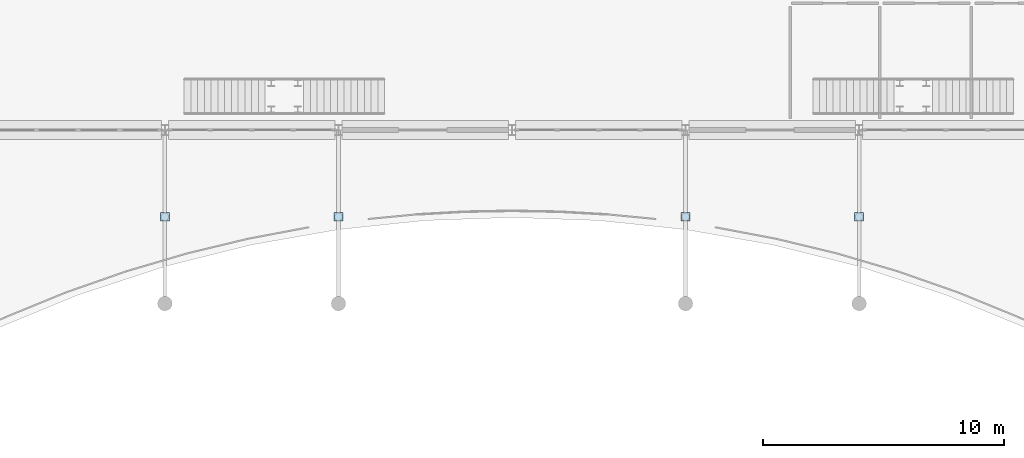
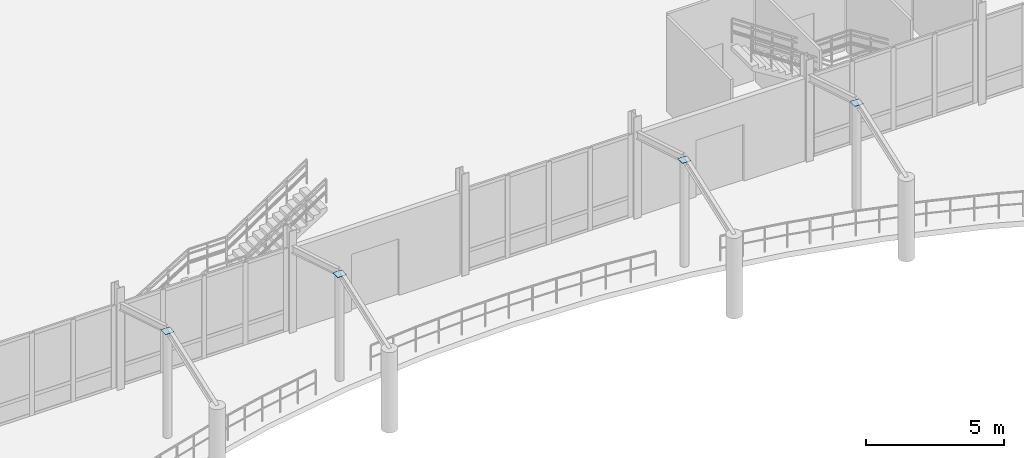
# One storey, part 109 of 139: 4 plates.
"""IFC4 building model written with IfcOpenShell, lengths in metres."""

from ifc_helpers import new_model, si_unit, direction, frame, origin, origin_2d, place, context, subcontext, project, spatial, rectangle, extrude, material, layer, layer_set, type_object, element, save


model = new_model("IFC4")

# Units and contexts
model_context = context("Model", 3, precision=1e-05, world=origin(), true_north=direction((0.0, 1.0)))
body_context = subcontext(model_context, "Body", "Model", "MODEL_VIEW")
ifc_project = project(units=[si_unit("LENGTHUNIT", "METRE"), si_unit("AREAUNIT", "SQUARE_METRE"), si_unit("VOLUMEUNIT", "CUBIC_METRE"), si_unit("PLANEANGLEUNIT", "RADIAN"), si_unit("MASSUNIT", "GRAM", prefix="KILO")], contexts=[model_context])

# Site, building, storey
site_placement = place(None, origin())
site = spatial("IfcSite", under=ifc_project, at=site_placement, CompositionType="ELEMENT")
building_placement = place(site_placement, origin())
building = spatial("IfcBuilding", under=site, at=building_placement, Name="Suanplinth Sawtooth Commons", CompositionType="ELEMENT")
storey_placement = place(building_placement, origin())
storey = spatial("IfcBuildingStorey", under=building, at=storey_placement, Name="L00", CompositionType="ELEMENT", Elevation=0.0)

# Plates
ifc_material = material(Name="Steel S355JR", Category="steel")
ifc_layer = layer(ifc_material, 0.013916015625, Name="Hollow column top seal plate 14mm")
ifc_layer_set = layer_set([ifc_layer], Name="Steel S355JR")
plate_type = type_object("IfcPlateType", Name="PL-10", PredefinedType="USERDEFINED", material=ifc_layer_set)
for number, where, z_axis, x_axis, name in (
    (1, (72.0, 46.800048828125, 4.630859375), (0.0, 0.0, 1.0), (1.0, 0.0, 0.0), "Metro Ridge Column Cap Plate 11"),
    (2, (79.199951171875, 46.800048828125, 4.630859375), (0.0, 0.0, 1.0), (1.0, 0.0, 0.0), "Metro Ridge Column Cap Plate 12"),
    (3, (93.60009765625, 46.800048828125, 4.630859375), (0.0, 0.0, 1.0), (1.0, 0.0, 0.0), "Metro Ridge Column Cap Plate 14"),
    (4, (100.800048828125, 46.800048828125, 4.630859375), (0.0, 0.0, 1.0), (1.0, 0.0, 0.0), "Metro Ridge Column Cap Plate 15"),
):
    element("IfcPlate", number, at=place(storey_placement, frame(where, z_axis=z_axis, x_axis=x_axis)), inside=storey, type_object=plate_type, Name=name, ObjectType="GUSSET PLATE", PredefinedType="USERDEFINED", context=body_context, shape_type="SweptSolid", body=[
        extrude(rectangle(XDim=0.360107421875, YDim=0.360107421875, at=origin_2d()), origin(), (0.0, 0.0, 1.0), 0.013916015625),
    ])

save(model, "model.ifc")
